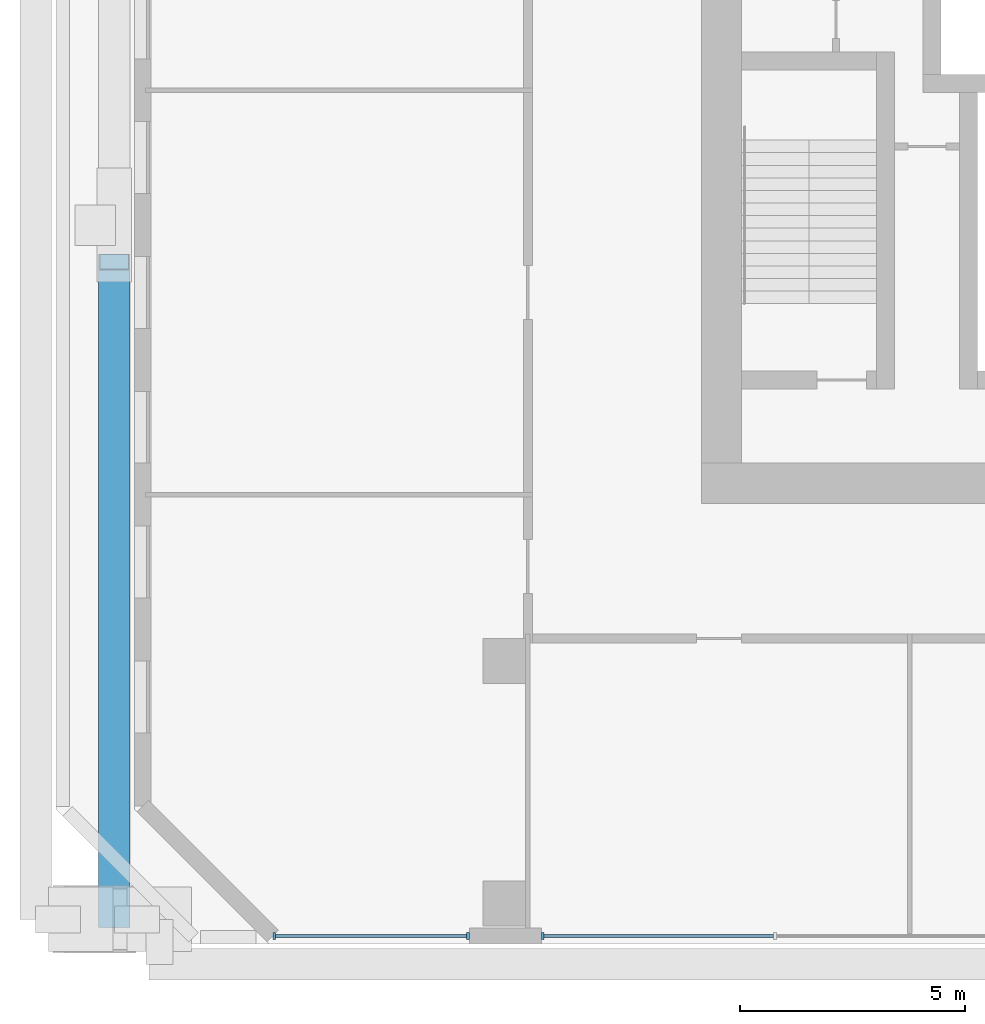
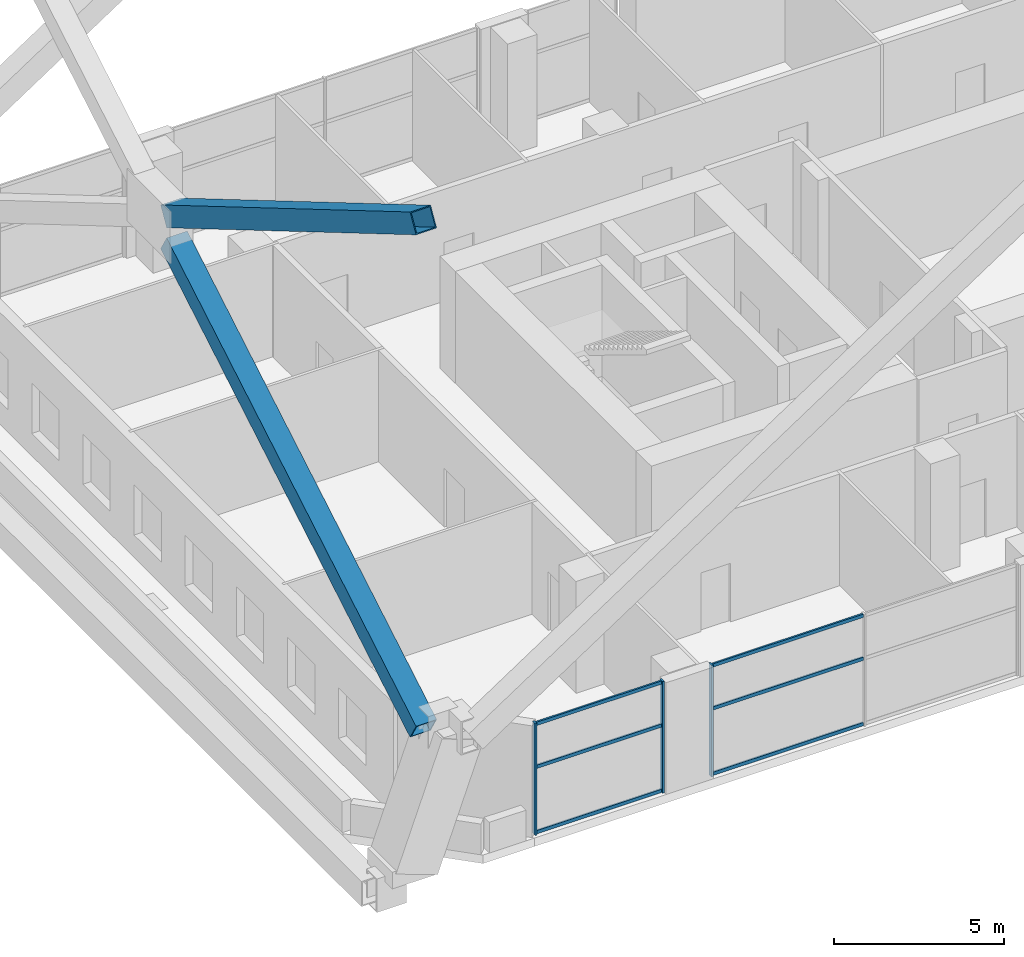
# One storey, part 2 of 25: 11 members, 2 elements without a shape of their own.
"""IFC4 building model written with IfcOpenShell, lengths in metres."""

import ifcopenshell
import ifcopenshell.guid

model = None  # the IFC model being written
_history = None  # IfcOwnerHistory: only IFC2X3 demands one
_inside = {}  # id of a spatial element -> (the spatial element, [elements in it])
_under = {}  # id of a project, library or spatial element -> (it, [spatial elements below it])
_declared = {}  # id of a project -> (the project, [libraries it declares])
_typed = {}  # id of a type object -> (the type object, [elements of that type])
_made_of = {}  # id of a material, layer set ... -> (it, [elements and type objects made of it])


def new_model(schema):
    """Start an empty IFC model of exactly this schema.

    Asked for "IFC4X3", IfcOpenShell would pick the latest addendum, in which some entities
    have other attributes; the version numbers below select the first issue.
    IFC2X3 requires an IfcOwnerHistory on every rooted entity: one is made here for all.
    """
    global model, _history
    if schema == "IFC4X3":
        model = ifcopenshell.file(schema_version=(4, 3, 0, 0))
    else:
        model = ifcopenshell.file(schema=schema)
    _inside.clear()
    _under.clear()
    _declared.clear()
    _typed.clear()
    _made_of.clear()
    _history = None
    if model.schema == "IFC2X3":
        org = make("IfcOrganization", Name="unknown")
        user = make(
            "IfcPersonAndOrganization",
            ThePerson=make("IfcPerson", FamilyName="unknown"),
            TheOrganization=org,
        )
        app = make(
            "IfcApplication",
            ApplicationDeveloper=org,
            Version="unknown",
            ApplicationFullName="unknown",
            ApplicationIdentifier="unknown",
        )
        _history = make(
            "IfcOwnerHistory",
            OwningUser=user,
            OwningApplication=app,
            ChangeAction="ADDED",
            CreationDate=0,
        )
    return model


def make(cls, **values):
    """One entity of the class cls with the attributes given. An attribute that is None is left unset."""
    return model.create_entity(
        cls, **{name: value for name, value in values.items() if value is not None}
    )


def rooted(cls, **values):
    """An entity with a GlobalId (a new one), such as an element, a storey or a relation."""
    return make(cls, GlobalId=ifcopenshell.guid.new(), OwnerHistory=_history, **values)


def si_unit(unit_type, name, prefix=None):
    """IfcSIUnit, for example si_unit("LENGTHUNIT", "METRE", prefix="MILLI")."""
    return make("IfcSIUnit", UnitType=unit_type, Prefix=prefix, Name=name)


def assignment(units):
    """IfcUnitAssignment: the units of a project."""
    return None if units is None else make("IfcUnitAssignment", Units=units)


def point(xyz):
    """IfcCartesianPoint."""
    return None if xyz is None else make("IfcCartesianPoint", Coordinates=xyz)


def direction(xyz):
    """IfcDirection."""
    return None if xyz is None else make("IfcDirection", DirectionRatios=xyz)


def frame(location, z_axis=None, x_axis=None):
    """IfcAxis2Placement3D, a coordinate frame: its origin and axes. An axis left out is left unset."""
    return make(
        "IfcAxis2Placement3D",
        Location=point(location),
        Axis=direction(z_axis),
        RefDirection=direction(x_axis),
    )


def frame_2d(location, x_axis=None):
    """IfcAxis2Placement2D, a coordinate frame in the plane: its origin and x axis."""
    return make(
        "IfcAxis2Placement2D", Location=point(location), RefDirection=direction(x_axis)
    )


def origin():
    """The frame at (0, 0, 0) with its axes left unset."""
    return frame((0.0, 0.0, 0.0))


def origin_2d():
    """The frame at (0, 0) in the plane with its x axis left unset."""
    return frame_2d((0.0, 0.0))


def place(relative_to, where):
    """IfcLocalPlacement: puts the frame where relative to a parent placement (None: the world)."""
    return make(
        "IfcLocalPlacement", PlacementRelTo=relative_to, RelativePlacement=where
    )


def context(
    kind, dimensions, precision=None, world=None, true_north=None, identifier=None
):
    """IfcGeometricRepresentationContext, for example the 3D "Model" context."""
    return make(
        "IfcGeometricRepresentationContext",
        ContextIdentifier=identifier,
        ContextType=kind,
        CoordinateSpaceDimension=dimensions,
        Precision=precision,
        WorldCoordinateSystem=world,
        TrueNorth=true_north,
    )


def subcontext(parent, identifier, kind, view, scale=None):
    """IfcGeometricRepresentationSubContext, for example "Body" below "Model"."""
    return make(
        "IfcGeometricRepresentationSubContext",
        ContextIdentifier=identifier,
        ContextType=kind,
        ParentContext=parent,
        TargetScale=scale,
        TargetView=view,
    )


def project(units=None, contexts=None):
    """IfcProject with its units and contexts."""
    return rooted(
        "IfcProject",
        Name="project",
        RepresentationContexts=contexts,
        UnitsInContext=assignment(units),
    )


def spatial(cls, under=None, at=None, **own):
    """A site, building, storey or space (cls), placed at a placement, below another one or the project."""
    s = rooted(cls, ObjectPlacement=at, **own)
    if under is not None:
        _under.setdefault(under.id(), (under, []))[1].append(s)
    return s


def profile(cls, at=None, kind="AREA", **sizes):
    """A parametric profile (cls). Its sizes go by their IFC names, for example OverallWidth=200.0."""
    return make(cls, ProfileType=kind, Position=at, **sizes)


def rectangle(**sizes):
    """IfcRectangleProfileDef."""
    return profile("IfcRectangleProfileDef", **sizes)


def hollow_rectangle(**sizes):
    """IfcRectangleHollowProfileDef."""
    return profile("IfcRectangleHollowProfileDef", **sizes)


def extrude(swept, where, along, depth):
    """IfcExtrudedAreaSolid: the profile swept, set in the frame where, extruded along a direction by depth."""
    return make(
        "IfcExtrudedAreaSolid",
        SweptArea=swept,
        Position=where,
        ExtrudedDirection=direction(along),
        Depth=depth,
    )


def shape(context_of_items, identifier, shape_type, items):
    """IfcShapeRepresentation: the items that make up one representation, for example the "Body"."""
    return make(
        "IfcShapeRepresentation",
        ContextOfItems=context_of_items,
        RepresentationIdentifier=identifier,
        RepresentationType=shape_type,
        Items=items,
    )


def material(Name=None, Category=None):
    """IfcMaterial."""
    return make("IfcMaterial", Name=Name, Category=Category)


def material_profile(
    of_material, cross_section, Name=None, Category=None, Priority=None
):
    """IfcMaterialProfile: a cross section and its material."""
    return make(
        "IfcMaterialProfile",
        Name=Name,
        Material=of_material,
        Profile=cross_section,
        Priority=Priority,
        Category=Category,
    )


def profile_set(profiles, Name=None, composite=None):
    """IfcMaterialProfileSet."""
    return make(
        "IfcMaterialProfileSet",
        Name=Name,
        MaterialProfiles=profiles,
        CompositeProfile=composite,
    )


def made_of(thing, what):
    """Note that an element or type object is made of a material, layer set ...; save() writes the relation."""
    if what is not None:
        _made_of.setdefault(what.id(), (what, []))[1].append(thing)
    return thing


def type_object(cls, material=None, **own):
    """A type object (cls), such as IfcWallType, which elements share."""
    return made_of(rooted(cls, **own), material)


def element(
    cls,
    number,
    at=None,
    inside=None,
    cuts=None,
    type_object=None,
    material=None,
    context=None,
    identifier="Body",
    shape_type=None,
    held_by="IfcProductDefinitionShape",
    body=None,
    shapes=None,
    **own,
):
    """One element of the class cls, such as IfcWall. Its Tag is "e" and its number.

    at: its placement. inside: the storey or other place that contains it. cuts: it is an
    opening in that element (IfcRelVoidsElement). A single representation is given by context,
    identifier, shape_type and body (its items); several are given by shapes. held_by: the class
    of the entity that holds the representations. save() writes the other relations.
    """
    e = rooted(cls, Tag="e%d" % number, ObjectPlacement=at, **own)
    if body is not None:
        shapes = [shape(context, identifier, shape_type, body)]
    if shapes is not None:
        e.Representation = make(held_by, Representations=shapes)
    if inside is not None:
        _inside.setdefault(inside.id(), (inside, []))[1].append(e)
    if cuts is not None:
        rooted(
            "IfcRelVoidsElement", RelatingBuildingElement=cuts, RelatedOpeningElement=e
        )
    if type_object is not None:
        _typed.setdefault(type_object.id(), (type_object, []))[1].append(e)
    return made_of(e, material)


def aggregate(whole, parts):
    """IfcRelAggregates: a whole, such as a stair, and the parts it consists of."""
    return rooted("IfcRelAggregates", RelatingObject=whole, RelatedObjects=parts)


def save(model, path):
    """Write the relations noted so far, then the file.

    IfcRelAggregates (storeys below a building ...), IfcRelContainedInSpatialStructure (elements
    in a storey), IfcRelDefinesByType, IfcRelAssociatesMaterial and IfcRelDeclares: one each for
    every whole, place, type object, material and project.
    """
    for whole, parts in _under.values():
        aggregate(whole, parts)
    for where, things in _inside.values():
        rooted(
            "IfcRelContainedInSpatialStructure",
            RelatedElements=things,
            RelatingStructure=where,
        )
    for kind, things in _typed.values():
        rooted("IfcRelDefinesByType", RelatedObjects=things, RelatingType=kind)
    for what, things in _made_of.values():
        rooted("IfcRelAssociatesMaterial", RelatedObjects=things, RelatingMaterial=what)
    for by, libraries in _declared.values():
        rooted("IfcRelDeclares", RelatingContext=by, RelatedDefinitions=libraries)
    model.write(path)


model = new_model("IFC4")

# Units and contexts
model_context = context("Model", 3, precision=1e-05, world=origin(), true_north=direction((0.0, 1.0)))
body_context = subcontext(model_context, "Body", "Model", "MODEL_VIEW")
ifc_project = project(units=[si_unit("LENGTHUNIT", "METRE"), si_unit("AREAUNIT", "SQUARE_METRE"), si_unit("VOLUMEUNIT", "CUBIC_METRE"), si_unit("PLANEANGLEUNIT", "RADIAN"), si_unit("MASSUNIT", "GRAM", prefix="KILO")], contexts=[model_context])

# Site, building, storey
site_placement = place(None, origin())
site = spatial("IfcSite", under=ifc_project, at=site_placement, CompositionType="ELEMENT")
building_placement = place(site_placement, origin())
building = spatial("IfcBuilding", under=site, at=building_placement, Name="Tuart Gate Housing", CompositionType="ELEMENT")
storey_placement = place(building_placement, frame((0.0, 0.0, 14.699951171875)))
storey = spatial("IfcBuildingStorey", under=building, at=storey_placement, Name="L03", CompositionType="ELEMENT", Elevation=14.699951171875)

# Members
ifc_material_1 = material(Name="Steel Grade 350", Category="steel")
ifc_material_profile_1 = material_profile(ifc_material_1, hollow_rectangle(XDim=0.699951171875, YDim=0.699951171875, WallThickness=0.034912109375, at=origin_2d()), Name="BOX 700x700x35")
ifc_profile_set_1 = profile_set([ifc_material_profile_1], Name="Steel Grade 350")
member_type_1 = type_object("IfcMemberType", Name="Mega brace BOX 700x700x35", PredefinedType="BRACE", material=ifc_profile_set_1)
for number, where, z_axis, x_axis, name in (
    (1, (19.300048828125, 54.550048828125, 4.800048828125), (0.0, 0.861644676374, 0.507512021214), (-1.0, 0.0, 0.0), "Mega brace A zone 1 west cross 1 a"),
    (2, (19.300048828125, 69.181396484375, 14.382080078125), (0.0, -0.861644676374, 0.507512021214), (1.0, 0.0, 0.0), "Mega brace A zone 1 west cross 2 b"),
):
    element("IfcMember", number, at=place(storey_placement, frame(where, z_axis=z_axis, x_axis=x_axis)), inside=storey, type_object=member_type_1, Name=name, PredefinedType="BRACE", context=body_context, shape_type="SweptSolid", body=[
        extrude(hollow_rectangle(XDim=0.699951171875, YDim=0.699951171875, WallThickness=0.034912109375, at=origin_2d()), origin(), (0.0, 0.0, 1.0), 16.980712890625),
    ])

# Curtain wall, members
ifc_material_2 = material(Name="Aluminium and clear glass", Category="aluminium")
curtain_wall_type = type_object("IfcCurtainWallType", Name="Community floor glazing", PredefinedType="USERDEFINED", material=ifc_material_2)
curtain_wall_1_placement = place(storey_placement, origin())
curtain_wall_1 = element("IfcCurtainWall", 3, at=curtain_wall_1_placement, inside=storey, type_object=curtain_wall_type, Name="Community floor glazing A-S L03", ObjectType="COMMUNITY FLOOR GLAZING", PredefinedType="USERDEFINED")
ifc_material_3 = material(Name="Anodised aluminium", Category="aluminium")
ifc_material_profile_2 = material_profile(ifc_material_3, rectangle(XDim=0.06005859375, YDim=0.159912109375, at=origin_2d()), Name="60x160")
ifc_profile_set_2 = profile_set([ifc_material_profile_2], Name="Anodised aluminium")
member_type_2 = type_object("IfcMemberType", Name="Mullion 60 x 160", PredefinedType="MULLION", material=ifc_profile_set_2)
member_1_placement = place(storey_placement, frame((22.8544921875, 54.179931640625, 0.0), z_axis=(0.0, 0.0, 1.0), x_axis=(1.0, 0.0, 0.0)))
member_1 = element("IfcMember", 4, at=member_1_placement, type_object=member_type_2, Name="CW3 mullion 1", PredefinedType="MULLION", context=body_context, shape_type="SweptSolid", body=[
    extrude(rectangle(XDim=0.06005859375, YDim=0.159912109375, at=origin_2d()), origin(), (0.0, 0.0, 1.0), 4.0),
])
member_2_placement = place(storey_placement, frame((27.169921875, 54.179931640625, 0.0), z_axis=(0.0, 0.0, 1.0), x_axis=(1.0, 0.0, 0.0)))
member_2 = element("IfcMember", 5, at=member_2_placement, type_object=member_type_2, Name="CW3 mullion 2", PredefinedType="MULLION", context=body_context, shape_type="SweptSolid", body=[
    extrude(rectangle(XDim=0.06005859375, YDim=0.159912109375, at=origin_2d()), origin(), (0.0, 0.0, 1.0), 4.0),
])

# Curtain wall, member
curtain_wall_2_placement = place(storey_placement, origin())
curtain_wall_2 = element("IfcCurtainWall", 6, at=curtain_wall_2_placement, inside=storey, type_object=curtain_wall_type, Name="Community floor glazing A-S L03", ObjectType="COMMUNITY FLOOR GLAZING", PredefinedType="USERDEFINED")
member_3_placement = place(storey_placement, frame((28.830078125, 54.179931640625, 0.0), z_axis=(0.0, 0.0, 1.0), x_axis=(1.0, 0.0, 0.0)))
member_3 = element("IfcMember", 7, at=member_3_placement, type_object=member_type_2, Name="CW3 mullion 1", PredefinedType="MULLION", context=body_context, shape_type="SweptSolid", body=[
    extrude(rectangle(XDim=0.06005859375, YDim=0.159912109375, at=origin_2d()), origin(), (0.0, 0.0, 1.0), 4.0),
])

# Member
ifc_material_4 = material(Name="Anodised aluminium", Category="aluminium")
ifc_material_profile_3 = material_profile(ifc_material_4, rectangle(XDim=0.06005859375, YDim=0.1201171875, at=origin_2d()), Name="60x120")
ifc_profile_set_3 = profile_set([ifc_material_profile_3], Name="Anodised aluminium")
member_type_3 = type_object("IfcMemberType", Name="Transom 60 x 120", PredefinedType="USERDEFINED", material=ifc_profile_set_3)
member_4_placement = place(storey_placement, frame((22.884521484375, 54.179931640625, 0.06005859375), z_axis=(1.0, 0.0, 0.0), x_axis=(0.0, 1.0, 0.0)))
member_4 = element("IfcMember", 8, at=member_4_placement, type_object=member_type_3, Name="CW3 transom 1.1", ObjectType="TRANSOM", PredefinedType="USERDEFINED", context=body_context, shape_type="SweptSolid", body=[
    extrude(rectangle(XDim=0.06005859375, YDim=0.1201171875, at=origin_2d()), origin(), (0.0, 0.0, 1.0), 4.25537109375),
])

member_5_placement = place(storey_placement, frame((22.884521484375, 54.179931640625, 2.400146484375), z_axis=(1.0, 0.0, 0.0), x_axis=(0.0, 1.0, 0.0)))
member_5 = element("IfcMember", 9, at=member_5_placement, type_object=member_type_3, Name="CW3 transom 1.2", ObjectType="TRANSOM", PredefinedType="USERDEFINED", context=body_context, shape_type="SweptSolid", body=[
    extrude(rectangle(XDim=0.06005859375, YDim=0.1201171875, at=origin_2d()), origin(), (0.0, 0.0, 1.0), 4.25537109375),
])

member_6_placement = place(storey_placement, frame((22.884521484375, 54.179931640625, 3.93994140625), z_axis=(1.0, 0.0, 0.0), x_axis=(0.0, 1.0, 0.0)))
member_6 = element("IfcMember", 10, at=member_6_placement, type_object=member_type_3, Name="CW3 transom 1.3", ObjectType="TRANSOM", PredefinedType="USERDEFINED", context=body_context, shape_type="SweptSolid", body=[
    extrude(rectangle(XDim=0.06005859375, YDim=0.1201171875, at=origin_2d()), origin(), (0.0, 0.0, 1.0), 4.25537109375),
])

aggregate(curtain_wall_1, [member_1, member_2, member_4, member_5, member_6])

member_7_placement = place(storey_placement, frame((28.860107421875, 54.179931640625, 0.06005859375), z_axis=(1.0, 0.0, 0.0), x_axis=(0.0, 1.0, 0.0)))
member_7 = element("IfcMember", 11, at=member_7_placement, type_object=member_type_3, Name="CW3 transom 1.1", ObjectType="TRANSOM", PredefinedType="USERDEFINED", context=body_context, shape_type="SweptSolid", body=[
    extrude(rectangle(XDim=0.06005859375, YDim=0.1201171875, at=origin_2d()), origin(), (0.0, 0.0, 1.0), 5.10986328125),
])

member_8_placement = place(storey_placement, frame((28.860107421875, 54.179931640625, 2.400146484375), z_axis=(1.0, 0.0, 0.0), x_axis=(0.0, 1.0, 0.0)))
member_8 = element("IfcMember", 12, at=member_8_placement, type_object=member_type_3, Name="CW3 transom 1.2", ObjectType="TRANSOM", PredefinedType="USERDEFINED", context=body_context, shape_type="SweptSolid", body=[
    extrude(rectangle(XDim=0.06005859375, YDim=0.1201171875, at=origin_2d()), origin(), (0.0, 0.0, 1.0), 5.10986328125),
])

member_9_placement = place(storey_placement, frame((28.860107421875, 54.179931640625, 3.93994140625), z_axis=(1.0, 0.0, 0.0), x_axis=(0.0, 1.0, 0.0)))
member_9 = element("IfcMember", 13, at=member_9_placement, type_object=member_type_3, Name="CW3 transom 1.3", ObjectType="TRANSOM", PredefinedType="USERDEFINED", context=body_context, shape_type="SweptSolid", body=[
    extrude(rectangle(XDim=0.06005859375, YDim=0.1201171875, at=origin_2d()), origin(), (0.0, 0.0, 1.0), 5.10986328125),
])

aggregate(curtain_wall_2, [member_3, member_7, member_8, member_9])

save(model, "model.ifc")
